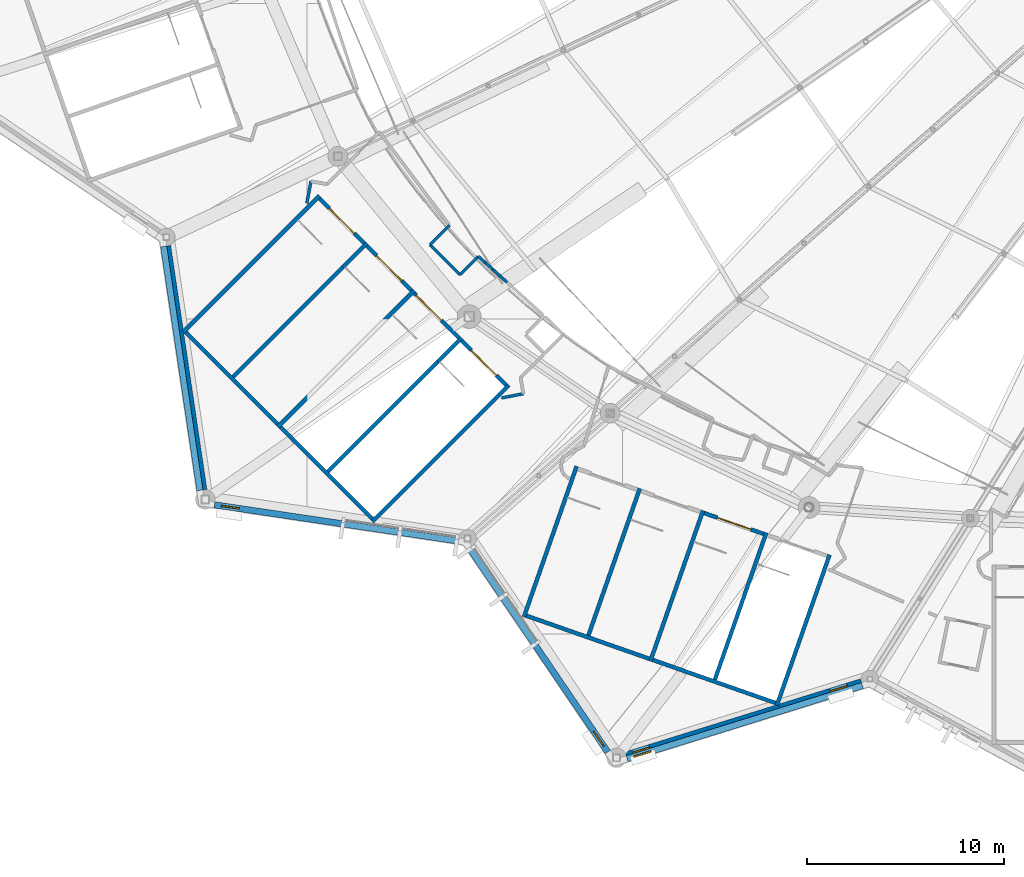
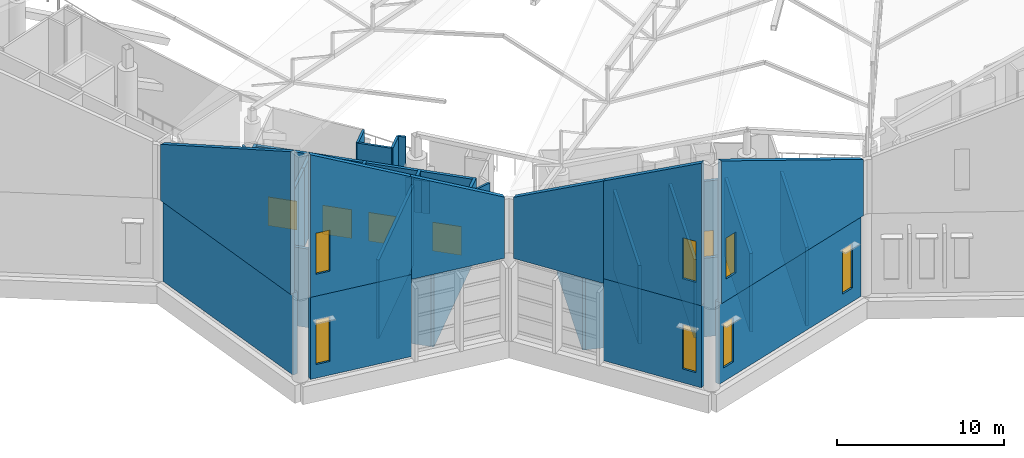
# One storey, part 242 of 344: 40 walls, 7 windows, 5 doors, 12 openings.
"""IFC4 building model written with IfcOpenShell, lengths in metres."""

from ifc_helpers import new_model, si_unit, direction, frame, frame_2d, origin, place, context, subcontext, project, spatial, polyline, rectangle, outline, extrude, material, layer, layer_set, type_object, element, fill, save


model = new_model("IFC4")

# Units and contexts
model_context = context("Model", 3, precision=1e-05, world=origin(), true_north=direction((0.0, 1.0)))
body_context = subcontext(model_context, "Body", "Model", "MODEL_VIEW")
ifc_project = project(units=[si_unit("LENGTHUNIT", "METRE"), si_unit("AREAUNIT", "SQUARE_METRE"), si_unit("VOLUMEUNIT", "CUBIC_METRE"), si_unit("PLANEANGLEUNIT", "RADIAN"), si_unit("MASSUNIT", "GRAM", prefix="KILO")], contexts=[model_context])

# Site, building, storey
site_placement = place(None, origin())
site = spatial("IfcSite", under=ifc_project, at=site_placement, CompositionType="ELEMENT")
building_placement = place(site_placement, origin())
building = spatial("IfcBuilding", under=site, at=building_placement, Name="Meseta Stadium", CompositionType="ELEMENT")
storey_placement = place(building_placement, frame((0.0, 0.0, 24.0)))
storey = spatial("IfcBuildingStorey", under=building, at=storey_placement, Name="L04", CompositionType="ELEMENT", Elevation=24.0)

# Walls
ifc_material_1 = material(Name="Concrete C40/50", Category="concrete")
ifc_layer_1 = layer(ifc_material_1, 0.199951171875)
ifc_layer_set_1 = layer_set([ifc_layer_1], Name="Core divider wall 200")
wall_type_1 = type_object("IfcWallType", Name="Core divider wall 200", PredefinedType="SHEAR", material=ifc_layer_set_1)
wall_1_placement = place(storey_placement, frame((-83.90087890625, -83.092529296875, 0.0), z_axis=(0.0, 0.0, 1.0), x_axis=(0.707106781187, 0.707106781187, 0.0)))
element("IfcWall", 1, at=wall_1_placement, inside=storey, type_object=wall_type_1, Name="Core 21 L04 stair A divider wall", PredefinedType="SHEAR", context=body_context, shape_type="SweptSolid", body=[
    extrude(rectangle(XDim=8.099853515625, YDim=0.199951171875, at=frame_2d((4.0498046875, 0.0))), origin(), (0.0, 0.0, 1.0), 5.75),
])
wall_2_placement = place(storey_placement, frame((-78.17333984375, -77.364990234375, 0.0), z_axis=(0.0, 0.0, 1.0), x_axis=(0.707178586901, 0.707034968179, 0.0)))
element("IfcWall", 2, at=wall_2_placement, inside=storey, type_object=wall_type_1, Name="Core 21 L04 stair A divider wall", PredefinedType="SHEAR", context=body_context, shape_type="SweptSolid", body=[
    extrude(rectangle(XDim=1.699951171875, YDim=0.199951171875, at=frame_2d((0.85009765625, 0.0))), origin(), (0.0, 0.0, 1.0), 5.75),
])
wall_3_placement = place(storey_placement, frame((-79.092529296875, -87.90087890625, 0.0), z_axis=(0.0, 0.0, 1.0), x_axis=(0.707106781187, 0.707106781187, 0.0)))
element("IfcWall", 3, at=wall_3_placement, inside=storey, type_object=wall_type_1, Name="Core 21 L04 stair B divider wall", PredefinedType="SHEAR", context=body_context, shape_type="SweptSolid", body=[
    extrude(rectangle(XDim=8.099853515625, YDim=0.199951171875, at=frame_2d((4.0498046875, 0.0))), origin(), (0.0, 0.0, 1.0), 5.75),
])
wall_4_placement = place(storey_placement, frame((-73.364990234375, -82.17333984375, 0.0), z_axis=(0.0, 0.0, 1.0), x_axis=(0.707034968179, 0.707178586901, 0.0)))
element("IfcWall", 4, at=wall_4_placement, inside=storey, type_object=wall_type_1, Name="Core 21 L04 stair B divider wall", PredefinedType="SHEAR", context=body_context, shape_type="SweptSolid", body=[
    extrude(rectangle(XDim=1.699951171875, YDim=0.199951171875, at=frame_2d((0.85009765625, 0.0))), origin(), (0.0, 0.0, 1.0), 5.75),
])
for number, where, z_axis, x_axis, name in (
    (5, (-65.789306640625, -96.260009765625, 0.0), (0.0, 0.0, 1.0), (0.330280610426, 0.943882788474, 0.0), "Core 22 L04 stair A divider wall"),
    (6, (-59.370849609375, -98.505859375, 0.0), (0.0, 0.0, 1.0), (0.330280610426, 0.943882788474, 0.0), "Core 22 L04 stair B divider wall"),
):
    element("IfcWall", number, at=place(storey_placement, frame(where, z_axis=z_axis, x_axis=x_axis)), inside=storey, type_object=wall_type_1, Name=name, PredefinedType="SHEAR", context=body_context, shape_type="SweptSolid", body=[
        extrude(rectangle(XDim=8.10009765625, YDim=0.199951171875, at=frame_2d((4.050048828125, 0.0))), origin(), (0.0, 0.0, 1.0), 5.75),
    ])
ifc_material_2 = material(Name="Concrete C40/50", Category="concrete")
ifc_layer_2 = layer(ifc_material_2, 0.199951171875)
ifc_layer_set_2 = layer_set([ifc_layer_2], Name="Core shaft wall 200")
wall_type_2 = type_object("IfcWallType", Name="Core shaft wall 200", PredefinedType="SHEAR", material=ifc_layer_set_2)
for number, where, z_axis, x_axis, name in (
    (7, (-86.30517578125, -80.6884765625, 0.0), (0.0, 0.0, 1.0), (0.707106781187, 0.707106781187, 0.0), "Core 21 L04 stair wall A-side"),
    (8, (-81.496826171875, -85.496826171875, 0.0), (0.0, 0.0, 1.0), (0.707106781187, 0.707106781187, 0.0), "Core 21 L04 stair wall shared"),
    (9, (-76.6884765625, -90.30517578125, 0.0), (0.0, 0.0, 1.0), (0.707106781187, 0.707106781187, 0.0), "Core 21 L04 stair wall B-side"),
):
    element("IfcWall", number, at=place(storey_placement, frame(where, z_axis=z_axis, x_axis=x_axis)), inside=storey, type_object=wall_type_2, Name=name, PredefinedType="SHEAR", context=body_context, shape_type="SweptSolid", body=[
        extrude(rectangle(XDim=9.800048828125, YDim=0.199951171875, at=frame_2d((4.89990234375, 0.0))), origin(), (0.0, 0.0, 1.0), 5.75),
    ])
for number, where, z_axis, x_axis, name in (
    (10, (-86.163818359375, -80.6884765625, 0.0), (0.0, 0.0, 1.0), (0.707125276584, -0.707088285305, 0.0), "Core 21 L04 stair A outer end wall"),
    (11, (-81.355224609375, -85.496826171875, 0.0), (0.0, 0.0, 1.0), (0.707088285305, -0.707125276584, 0.0), "Core 21 L04 stair B outer end wall"),
):
    element("IfcWall", number, at=place(storey_placement, frame(where, z_axis=z_axis, x_axis=x_axis)), inside=storey, type_object=wall_type_2, Name=name, PredefinedType="SHEAR", context=body_context, shape_type="SweptSolid", body=[
        extrude(rectangle(XDim=6.599853515625, YDim=0.199951171875, at=frame_2d((3.2998046875, 0.0))), origin(), (0.0, 0.0, 1.0), 5.75),
    ])

# Wall, opening, door
wall_5_placement = place(storey_placement, frame((-79.37548828125, -73.900146484375, 0.0), z_axis=(0.0, 0.0, 1.0), x_axis=(0.707068634461, -0.707144925854, 0.0)))
wall_5 = element("IfcWall", 12, at=wall_5_placement, inside=storey, type_object=wall_type_2, Name="Core 21 L04 stair A1 inner end wall", PredefinedType="SHEAR", context=body_context, shape_type="SweptSolid", body=[
    extrude(rectangle(XDim=3.2001953125, YDim=0.199951171875, at=frame_2d((1.60009765625, 0.0))), origin(), (0.0, 0.0, 1.0), 5.75),
])
opening_1_placement = place(wall_5_placement, frame((0.699951171875, 0.0, 0.0)))
opening_1 = element("IfcOpeningElement", 13, at=opening_1_placement, cuts=wall_5, Name="Opening D1544", PredefinedType="OPENING", context=body_context, shape_type="SweptSolid", body=[
    extrude(rectangle(XDim=1.800048828125, YDim=2.10009765625, at=frame_2d((0.89990234375, 1.050048828125))), frame((0.0, 0.10986328125, 0.0), z_axis=(0.0, -1.0, 0.0), x_axis=(1.0, 0.0, 0.0)), (0.0, 0.0, 1.0), 0.219970703125),
])
ifc_material_3 = material(Name="Steel", Category="steel")
door_type = type_object("IfcDoorType", Name="Stair door 1800x2100", OperationType="DOUBLE_DOOR_SINGLE_SWING", PredefinedType="DOOR", material=ifc_material_3)
door_1_placement = place(opening_1_placement, origin())
door_1 = element("IfcDoor", 14, at=door_1_placement, inside=storey, type_object=door_type, Name="Stair A1 door 21 L04", OperationType="DOUBLE_DOOR_SINGLE_SWING", OverallHeight=2.10009765625, OverallWidth=1.800048828125, PredefinedType="DOOR", context=body_context, shape_type="SweptSolid", body=[
    extrude(rectangle(XDim=1.800048828125, YDim=2.10009765625, at=frame_2d((0.89990234375, 1.050048828125))), frame((0.0, 0.02490234375, 0.0), z_axis=(0.0, -1.0, 0.0), x_axis=(1.0, 0.0, 0.0)), (0.0, 0.0, 1.0), 0.050048828125),
])
fill(opening_1, door_1)

wall_6_placement = place(storey_placement, frame((-76.97119140625, -76.304443359375, 0.0), z_axis=(0.0, 0.0, 1.0), x_axis=(0.707106781187, -0.707106781187, 0.0)))
wall_6 = element("IfcWall", 15, at=wall_6_placement, inside=storey, type_object=wall_type_2, Name="Core 21 L04 stair A2 inner end wall", PredefinedType="SHEAR", context=body_context, shape_type="SweptSolid", body=[
    extrude(rectangle(XDim=3.199951171875, YDim=0.199951171875, at=frame_2d((1.60009765625, 0.0))), origin(), (0.0, 0.0, 1.0), 5.75),
])
opening_2_placement = place(wall_6_placement, frame((0.699951171875, 0.0, 0.0)))
opening_2 = element("IfcOpeningElement", 16, at=opening_2_placement, cuts=wall_6, Name="Opening D1547", PredefinedType="OPENING", context=body_context, shape_type="SweptSolid", body=[
    extrude(rectangle(XDim=1.800048828125, YDim=2.10009765625, at=frame_2d((0.89990234375, 1.050048828125))), frame((0.0, 0.10986328125, 0.0), z_axis=(0.0, -1.0, 0.0), x_axis=(1.0, 0.0, 0.0)), (0.0, 0.0, 1.0), 0.219970703125),
])
door_2_placement = place(opening_2_placement, origin())
door_2 = element("IfcDoor", 17, at=door_2_placement, inside=storey, type_object=door_type, Name="Stair A2 door 21 L04", OperationType="DOUBLE_DOOR_SINGLE_SWING", OverallHeight=2.10009765625, OverallWidth=1.800048828125, PredefinedType="DOOR", context=body_context, shape_type="SweptSolid", body=[
    extrude(rectangle(XDim=1.800048828125, YDim=2.10009765625, at=frame_2d((0.89990234375, 1.050048828125))), frame((0.0, 0.02490234375, 0.0), z_axis=(0.0, -1.0, 0.0), x_axis=(1.0, 0.0, 0.0)), (0.0, 0.0, 1.0), 0.050048828125),
])
fill(opening_2, door_2)

wall_7_placement = place(storey_placement, frame((-74.567138671875, -78.70849609375, 0.0), z_axis=(0.0, 0.0, 1.0), x_axis=(0.707106781187, -0.707106781187, 0.0)))
wall_7 = element("IfcWall", 18, at=wall_7_placement, inside=storey, type_object=wall_type_2, Name="Core 21 L04 stair B1 inner end wall", PredefinedType="SHEAR", context=body_context, shape_type="SweptSolid", body=[
    extrude(rectangle(XDim=3.199951171875, YDim=0.199951171875, at=frame_2d((1.60009765625, 0.0))), origin(), (0.0, 0.0, 1.0), 5.75),
])
opening_3_placement = place(wall_7_placement, frame((0.14990234375, 0.0, 0.0)))
opening_3 = element("IfcOpeningElement", 19, at=opening_3_placement, cuts=wall_7, Name="Opening D1549", PredefinedType="OPENING", context=body_context, shape_type="SweptSolid", body=[
    extrude(rectangle(XDim=1.800048828125, YDim=2.10009765625, at=frame_2d((0.89990234375, 1.050048828125))), frame((0.0, 0.10986328125, 0.0), z_axis=(0.0, -1.0, 0.0), x_axis=(1.0, 0.0, 0.0)), (0.0, 0.0, 1.0), 0.219970703125),
])
door_3_placement = place(opening_3_placement, origin())
door_3 = element("IfcDoor", 20, at=door_3_placement, inside=storey, type_object=door_type, Name="Stair B1 door 21 L04", OperationType="DOUBLE_DOOR_SINGLE_SWING", OverallHeight=2.10009765625, OverallWidth=1.800048828125, PredefinedType="DOOR", context=body_context, shape_type="SweptSolid", body=[
    extrude(rectangle(XDim=1.800048828125, YDim=2.10009765625, at=frame_2d((0.89990234375, 1.050048828125))), frame((0.0, 0.02490234375, 0.0), z_axis=(0.0, -1.0, 0.0), x_axis=(1.0, 0.0, 0.0)), (0.0, 0.0, 1.0), 0.050048828125),
])
fill(opening_3, door_3)

wall_8_placement = place(storey_placement, frame((-72.1630859375, -81.11279296875, 0.0), z_axis=(0.0, 0.0, 1.0), x_axis=(0.707144925854, -0.707068634461, 0.0)))
wall_8 = element("IfcWall", 21, at=wall_8_placement, inside=storey, type_object=wall_type_2, Name="Core 21 L04 stair B2 inner end wall", PredefinedType="SHEAR", context=body_context, shape_type="SweptSolid", body=[
    extrude(rectangle(XDim=3.2001953125, YDim=0.199951171875, at=frame_2d((1.60009765625, 0.0))), origin(), (0.0, 0.0, 1.0), 5.75),
])
opening_4_placement = place(wall_8_placement, frame((0.699951171875, 0.0, 0.0)))
opening_4 = element("IfcOpeningElement", 22, at=opening_4_placement, cuts=wall_8, Name="Opening D1551", PredefinedType="OPENING", context=body_context, shape_type="SweptSolid", body=[
    extrude(rectangle(XDim=1.800048828125, YDim=2.10009765625, at=frame_2d((0.89990234375, 1.050048828125))), frame((0.0, 0.10986328125, 0.0), z_axis=(0.0, -1.0, 0.0), x_axis=(1.0, 0.0, 0.0)), (0.0, 0.0, 1.0), 0.219970703125),
])
door_4_placement = place(opening_4_placement, origin())
door_4 = element("IfcDoor", 23, at=door_4_placement, inside=storey, type_object=door_type, Name="Stair B2 door 21 L04", OperationType="DOUBLE_DOOR_SINGLE_SWING", OverallHeight=2.10009765625, OverallWidth=1.800048828125, PredefinedType="DOOR", context=body_context, shape_type="SweptSolid", body=[
    extrude(rectangle(XDim=1.800048828125, YDim=2.10009765625, at=frame_2d((0.89990234375, 1.050048828125))), frame((0.0, 0.02490234375, 0.0), z_axis=(0.0, -1.0, 0.0), x_axis=(1.0, 0.0, 0.0)), (0.0, 0.0, 1.0), 0.050048828125),
])
fill(opening_4, door_4)

# Walls
for number, where, z_axis, x_axis, name in (
    (24, (-68.998291015625, -95.136962890625, 0.0), (0.0, 0.0, 1.0), (0.330263153216, 0.943888896866, 0.0), "Core 22 L04 stair wall A-side"),
    (25, (-62.580078125, -97.3828125, 0.0), (0.0, 0.0, 1.0), (0.330290006891, 0.943879500438, 0.0), "Core 22 L04 stair wall shared"),
):
    element("IfcWall", number, at=place(storey_placement, frame(where, z_axis=z_axis, x_axis=x_axis)), inside=storey, type_object=wall_type_2, Name=name, PredefinedType="SHEAR", context=body_context, shape_type="SweptSolid", body=[
        extrude(rectangle(XDim=8.099853515625, YDim=0.199951171875, at=frame_2d((4.0498046875, 0.0))), origin(), (0.0, 0.0, 1.0), 5.75),
    ])
wall_9_placement = place(storey_placement, frame((-56.16162109375, -99.62890625, 0.0), z_axis=(0.0, 0.0, 1.0), x_axis=(0.330280610426, 0.943882788474, 0.0)))
element("IfcWall", 26, at=wall_9_placement, inside=storey, type_object=wall_type_2, Name="Core 22 L04 stair wall B-side", PredefinedType="SHEAR", context=body_context, shape_type="SweptSolid", body=[
    extrude(rectangle(XDim=8.10009765625, YDim=0.199951171875, at=frame_2d((4.050048828125, 0.0))), origin(), (0.0, 0.0, 1.0), 5.75),
])
for number, where, z_axis, x_axis, name in (
    (27, (-68.87109375, -95.07568359375, 0.0), (0.0, 0.0, 1.0), (0.943880844925, -0.330286164688, 0.0), "Core 22 L04 stair A outer end wall"),
    (28, (-62.45263671875, -97.321533203125, 0.0), (0.0, 0.0, 1.0), (0.943880844925, -0.330286164688, 0.0), "Core 22 L04 stair B outer end wall"),
):
    element("IfcWall", number, at=place(storey_placement, frame(where, z_axis=z_axis, x_axis=x_axis)), inside=storey, type_object=wall_type_2, Name=name, PredefinedType="SHEAR", context=body_context, shape_type="SweptSolid", body=[
        extrude(rectangle(XDim=6.60009765625, YDim=0.199951171875, at=frame_2d((3.300048828125, 0.0))), origin(), (0.0, 0.0, 1.0), 5.75),
    ])

# Wall, opening, door
wall_10_placement = place(storey_placement, frame((-59.843505859375, -89.864990234375, 0.0), z_axis=(0.0, 0.0, 1.0), x_axis=(0.943886898693, -0.330268863922, 0.0)))
wall_10 = element("IfcWall", 29, at=wall_10_placement, inside=storey, type_object=wall_type_2, Name="Core 22 L04 stair B1 inner end wall", PredefinedType="SHEAR", context=body_context, shape_type="SweptSolid", body=[
    extrude(rectangle(XDim=3.2001953125, YDim=0.199951171875, at=frame_2d((1.60009765625, 0.0))), origin(), (0.0, 0.0, 1.0), 5.75),
])
opening_5_placement = place(wall_10_placement, frame((0.699951171875, 0.0, 0.0)))
opening_5 = element("IfcOpeningElement", 30, at=opening_5_placement, cuts=wall_10, Name="Opening D1561", PredefinedType="OPENING", context=body_context, shape_type="SweptSolid", body=[
    extrude(rectangle(XDim=1.800048828125, YDim=2.10009765625, at=frame_2d((0.89990234375, 1.050048828125))), frame((0.0, 0.10986328125, 0.0), z_axis=(0.0, -1.0, 0.0), x_axis=(1.0, 0.0, 0.0)), (0.0, 0.0, 1.0), 0.219970703125),
])
door_5_placement = place(opening_5_placement, origin())
door_5 = element("IfcDoor", 31, at=door_5_placement, inside=storey, type_object=door_type, Name="Stair B1 door 22 L04", OperationType="DOUBLE_DOOR_SINGLE_SWING", OverallHeight=2.10009765625, OverallWidth=1.800048828125, PredefinedType="DOOR", context=body_context, shape_type="SweptSolid", body=[
    extrude(rectangle(XDim=1.800048828125, YDim=2.10009765625, at=frame_2d((0.89990234375, 1.050048828125))), frame((0.0, 0.02490234375, 0.0), z_axis=(0.0, -1.0, 0.0), x_axis=(1.0, 0.0, 0.0)), (0.0, 0.0, 1.0), 0.050048828125),
])
fill(opening_5, door_5)

# Walls
ifc_material_4 = material(Name="Masonry blockwork", Category="masonry")
ifc_layer_3 = layer(ifc_material_4, 0.14990234375)
ifc_layer_set_3 = layer_set([ifc_layer_3], Name="Partition 150")
wall_type_3 = type_object("IfcWallType", Name="Partition 150", PredefinedType="PARTITIONING", material=ifc_layer_set_3)
wall_11_placement = place(storey_placement, frame((-70.133544921875, -84.018310546875, 0.0), z_axis=(0.0, 0.0, 1.0), x_axis=(0.982266484486, 0.187490142289, 0.0)))
element("IfcWall", 32, at=wall_11_placement, inside=storey, type_object=wall_type_3, Name="Stair vestibule wall L04 core 21", PredefinedType="PARTITIONING", context=body_context, shape_type="SweptSolid", body=[
    extrude(rectangle(XDim=1.127685546875, YDim=0.14990234375, at=frame_2d((0.56396484375, 0.0))), origin(), (0.0, 0.0, 1.0), 5.39990234375),
])
wall_12_placement = place(storey_placement, frame((-69.855712890625, -78.148681640625, 0.0), z_axis=(0.0, 0.0, 1.0), x_axis=(-0.742477572111, 0.669870924068, 0.0)))
element("IfcWall", 33, at=wall_12_placement, inside=storey, type_object=wall_type_3, Name="Stair vestibule wall L04 core 21", PredefinedType="PARTITIONING", context=body_context, shape_type="SweptSolid", body=[
    extrude(rectangle(XDim=0.490966796875, YDim=0.14990234375, at=frame_2d((0.24560546875, 0.0))), origin(), (0.0, 0.0, 1.0), 2.37890625),
])
wall_13_placement = place(storey_placement, frame((-70.22021484375, -77.81982421875, 0.0), z_axis=(0.0, 0.0, 1.0), x_axis=(-0.742724945946, 0.669596635796, 0.0)))
element("IfcWall", 34, at=wall_13_placement, inside=storey, type_object=wall_type_3, Name="Stair vestibule wall L04 core 21", PredefinedType="PARTITIONING", context=body_context, shape_type="SweptSolid", body=[
    extrude(rectangle(XDim=0.49072265625, YDim=0.14990234375, at=frame_2d((0.245361328125, 0.0))), origin(), (0.0, 0.0, 1.0), 2.37890625),
])
wall_14_placement = place(storey_placement, frame((-70.584716796875, -77.4912109375, 0.0), z_axis=(0.0, 0.0, 1.0), x_axis=(-0.742254293896, 0.670118320293, 0.0)))
element("IfcWall", 35, at=wall_14_placement, inside=storey, type_object=wall_type_3, Name="Stair vestibule wall L04 core 21", PredefinedType="PARTITIONING", context=body_context, shape_type="SweptSolid", body=[
    extrude(rectangle(XDim=0.49072265625, YDim=0.14990234375, at=frame_2d((0.245361328125, 0.0))), origin(), (0.0, 0.0, 1.0), 2.474365234375),
])
wall_15_placement = place(storey_placement, frame((-70.948974609375, -77.162353515625, 0.0), z_axis=(0.0, 0.0, 1.0), x_axis=(-0.742724945946, 0.669596635796, 0.0)))
element("IfcWall", 36, at=wall_15_placement, inside=storey, type_object=wall_type_3, Name="Stair vestibule wall L04 core 21", PredefinedType="PARTITIONING", context=body_context, shape_type="SweptSolid", body=[
    extrude(rectangle(XDim=0.49072265625, YDim=0.14990234375, at=frame_2d((0.245361328125, 0.0))), origin(), (0.0, 0.0, 1.0), 5.39990234375),
])
wall_16_placement = place(storey_placement, frame((-71.3134765625, -76.833740234375, 0.0), z_axis=(0.0, 0.0, 1.0), x_axis=(-0.707664949678, -0.706548171746, 0.0)))
element("IfcWall", 37, at=wall_16_placement, inside=storey, type_object=wall_type_3, Name="Stair vestibule wall L04 core 21", PredefinedType="PARTITIONING", context=body_context, shape_type="SweptSolid", body=[
    extrude(rectangle(XDim=1.311767578125, YDim=0.14990234375, at=frame_2d((0.65576171875, 0.0))), origin(), (0.0, 0.0, 1.0), 5.39990234375),
])
wall_17_placement = place(storey_placement, frame((-72.24169921875, -77.760498046875, 0.0), z_axis=(0.0, 0.0, 1.0), x_axis=(-0.707163624852, 0.707049932951, 0.0)))
element("IfcWall", 38, at=wall_17_placement, inside=storey, type_object=wall_type_3, Name="Stair vestibule wall L04 core 21", PredefinedType="PARTITIONING", context=body_context, shape_type="SweptSolid", body=[
    extrude(rectangle(XDim=2.1474609375, YDim=0.14990234375, at=frame_2d((1.07373046875, 0.0))), origin(), (0.0, 0.0, 1.0), 5.39990234375),
])
wall_18_placement = place(storey_placement, frame((-73.76025390625, -76.2421875, 0.0), z_axis=(0.0, 0.0, 1.0), x_axis=(0.706226529773, 0.707985938168, 0.0)))
element("IfcWall", 39, at=wall_18_placement, inside=storey, type_object=wall_type_3, Name="Stair vestibule wall L04 core 21", PredefinedType="PARTITIONING", context=body_context, shape_type="SweptSolid", body=[
    extrude(rectangle(XDim=1.3876953125, YDim=0.14990234375, at=frame_2d((0.69384765625, 0.0))), origin(), (0.0, 0.0, 1.0), 5.39990234375),
])
wall_19_placement = place(storey_placement, frame((-79.806884765625, -73.02587890625, 0.0), z_axis=(0.0, 0.0, 1.0), x_axis=(-0.187490142289, -0.982266484486, 0.0)))
element("IfcWall", 40, at=wall_19_placement, inside=storey, type_object=wall_type_3, Name="Stair vestibule wall L04 core 21", PredefinedType="PARTITIONING", context=body_context, shape_type="SweptSolid", body=[
    extrude(rectangle(XDim=1.127685546875, YDim=0.14990234375, at=frame_2d((0.56396484375, 0.0))), origin(), (0.0, 0.0, 1.0), 5.39990234375),
])
ifc_material_5 = material(Name="White precast concrete C40/50", Category="concrete")
ifc_layer_4 = layer(ifc_material_5, 0.320068359375)
ifc_layer_set_4 = layer_set([ifc_layer_4], Name="Pleated fascia panel 320 raked")
wall_type_4 = type_object("IfcWallType", Name="Pleated fascia panel 320 raked", PredefinedType="SOLIDWALL", material=ifc_layer_set_4)
wall_20_placement = place(storey_placement, frame((-85.44482421875, -88.708984375, 6.0), z_axis=(0.0, 0.0, 1.0), x_axis=(-0.146868244204, 0.989156063948, 0.0)))
element("IfcWall", 41, at=wall_20_placement, inside=storey, type_object=wall_type_4, Name="Pleated fascia panel L04 F39", PredefinedType="SOLIDWALL", context=body_context, shape_type="SweptSolid", body=[
    extrude(outline(polyline([(0.0, 0.0), (12.513916015625, 0.0), (12.51416015625, 4.116943359375), (0.0, 10.437744140625), (0.0, 0.0)])), frame((0.0, 0.16015625, 0.0), z_axis=(0.0, -1.0, 0.0), x_axis=(1.0, 0.0, 0.0)), (0.0, 0.0, 1.0), 0.320068359375),
])

# Wall, opening, window
wall_21_placement = place(storey_placement, frame((-78.265625, -90.401611328125, 6.0), z_axis=(0.0, 0.0, 1.0), x_axis=(-0.989154104726, 0.146881438937, 0.0)))
wall_21 = element("IfcWall", 42, at=wall_21_placement, inside=storey, type_object=wall_type_4, Name="Pleated fascia panel L04 F40", PredefinedType="SOLIDWALL", context=body_context, shape_type="SweptSolid", body=[
    extrude(outline(polyline([(0.0, 0.0), (6.513916015625, 0.0), (6.51416015625, 10.437744140625), (0.0, 7.1474609375), (0.0, 0.0)])), frame((0.0, 0.16015625, 0.0), z_axis=(0.0, -1.0, 0.0), x_axis=(1.0, 0.0, 0.0)), (0.0, 0.0, 1.0), 0.320068359375),
])
opening_6_placement = place(wall_21_placement, frame((5.25048828125, 0.0, 1.60009765625)))
opening_6 = element("IfcOpeningElement", 43, at=opening_6_placement, cuts=wall_21, Name="Opening W217", PredefinedType="OPENING", context=body_context, shape_type="SweptSolid", body=[
    extrude(rectangle(XDim=0.89990234375, YDim=3.0, at=frame_2d((0.449951171875, 1.5))), frame((0.0, 0.169921875, 0.0), z_axis=(0.0, -1.0, 0.0), x_axis=(1.0, 0.0, 0.0)), (0.0, 0.0, 1.0), 0.340087890625),
])
ifc_material_6 = material(Name="Aluminium", Category="aluminium")
window_type_1 = type_object("IfcWindowType", Name="Slot window 900x3000", PartitioningType="SINGLE_PANEL", PredefinedType="WINDOW", material=ifc_material_6)
window_1_placement = place(opening_6_placement, origin())
window_1 = element("IfcWindow", 44, at=window_1_placement, inside=storey, type_object=window_type_1, Name="Slot window L04 F40.6", OverallHeight=3.0, OverallWidth=0.89990234375, PartitioningType="SINGLE_PANEL", PredefinedType="WINDOW", context=body_context, shape_type="SweptSolid", body=[
    extrude(rectangle(XDim=0.89990234375, YDim=3.0, at=frame_2d((0.449951171875, 1.5))), frame((0.0, 0.030029296875, 0.0), z_axis=(0.0, -1.0, 0.0), x_axis=(1.0, 0.0, 0.0)), (0.0, 0.0, 1.0), 0.06005859375),
])
fill(opening_6, window_1)

# Wall
wall_22_placement = place(storey_placement, frame((-72.330810546875, -91.28271484375, 5.64990234375), z_axis=(0.0, 0.0, 1.0), x_axis=(-0.989158190862, 0.146853918747, 0.0)))
element("IfcWall", 45, at=wall_22_placement, inside=storey, type_object=wall_type_4, Name="Pleated facade panel above atrium F40", PredefinedType="SOLIDWALL", context=body_context, shape_type="SweptSolid", body=[
    extrude(outline(polyline([(0.0, 0.0), (5.999755859375, 0.0), (6.0, 7.49755859375), (0.0, 4.467041015625), (0.0, 0.0)])), frame((0.0, 0.16015625, 0.0), z_axis=(0.0, -1.0, 0.0), x_axis=(1.0, 0.0, 0.0)), (0.0, 0.0, 1.0), 0.320068359375),
])

# Wall, opening, window
wall_23_placement = place(storey_placement, frame((-64.74365234375, -101.98974609375, 6.0), z_axis=(0.0, 0.0, 1.0), x_axis=(-0.561489501614, 0.827483860614, 0.0)))
wall_23 = element("IfcWall", 46, at=wall_23_placement, inside=storey, type_object=wall_type_4, Name="Pleated fascia panel L04 F41", PredefinedType="SOLIDWALL", context=body_context, shape_type="SweptSolid", body=[
    extrude(outline(polyline([(0.0, 0.0), (6.512939453125, 0.0), (6.51318359375, 7.147705078125), (0.0, 10.4375), (0.0, 0.0)])), frame((0.0, 0.16015625, 0.0), z_axis=(0.0, -1.0, 0.0), x_axis=(1.0, 0.0, 0.0)), (0.0, 0.0, 1.0), 0.320068359375),
])
opening_7_placement = place(wall_23_placement, frame((0.363037109375, 0.0, 1.60009765625)))
opening_7 = element("IfcOpeningElement", 47, at=opening_7_placement, cuts=wall_23, Name="Opening W221", PredefinedType="OPENING", context=body_context, shape_type="SweptSolid", body=[
    extrude(rectangle(XDim=0.89990234375, YDim=3.0, at=frame_2d((0.449951171875, 1.5))), frame((0.0, 0.169921875, 0.0), z_axis=(0.0, -1.0, 0.0), x_axis=(1.0, 0.0, 0.0)), (0.0, 0.0, 1.0), 0.340087890625),
])
window_2_placement = place(opening_7_placement, origin())
window_2 = element("IfcWindow", 48, at=window_2_placement, inside=storey, type_object=window_type_1, Name="Slot window L04 F41.6", OverallHeight=3.0, OverallWidth=0.89990234375, PartitioningType="SINGLE_PANEL", PredefinedType="WINDOW", context=body_context, shape_type="SweptSolid", body=[
    extrude(rectangle(XDim=0.89990234375, YDim=3.0, at=frame_2d((0.449951171875, 1.5))), frame((0.0, 0.030029296875, 0.0), z_axis=(0.0, -1.0, 0.0), x_axis=(1.0, 0.0, 0.0)), (0.0, 0.0, 1.0), 0.06005859375),
])
fill(opening_7, window_2)

# Wall
wall_24_placement = place(storey_placement, frame((-68.400634765625, -96.600341796875, 5.64990234375), z_axis=(0.0, 0.0, 1.0), x_axis=(-0.561498433341, 0.827477799917, 0.0)))
element("IfcWall", 49, at=wall_24_placement, inside=storey, type_object=wall_type_4, Name="Pleated facade panel above atrium F41", PredefinedType="SOLIDWALL", context=body_context, shape_type="SweptSolid", body=[
    extrude(outline(polyline([(0.0, 0.0), (6.000244140625, 0.0), (6.0, 4.46728515625), (0.0, 7.497802734375), (0.0, 0.0)])), frame((0.0, 0.16015625, 0.0), z_axis=(0.0, -1.0, 0.0), x_axis=(1.0, 0.0, 0.0)), (0.0, 0.0, 1.0), 0.320068359375),
])

# Wall, opening, window
wall_25_placement = place(storey_placement, frame((-51.811767578125, -98.618896484375, 6.0), z_axis=(0.0, 0.0, 1.0), x_axis=(-0.954916036354, -0.29687600697, 0.0)))
wall_25 = element("IfcWall", 50, at=wall_25_placement, inside=storey, type_object=wall_type_4, Name="Pleated fascia panel L04 F42", PredefinedType="SOLIDWALL", context=body_context, shape_type="SweptSolid", body=[
    extrude(outline(polyline([(0.0, 0.0), (12.51318359375, 0.0), (12.51318359375, 10.4375), (0.0, 4.1171875), (0.0, 0.0)])), frame((0.0, 0.16015625, 0.0), z_axis=(0.0, -1.0, 0.0), x_axis=(1.0, 0.0, 0.0)), (0.0, 0.0, 1.0), 0.320068359375),
])
opening_8_placement = place(wall_25_placement, frame((11.250244140625, 0.0, 1.60009765625)))
opening_8 = element("IfcOpeningElement", 51, at=opening_8_placement, cuts=wall_25, Name="Opening W223", PredefinedType="OPENING", context=body_context, shape_type="SweptSolid", body=[
    extrude(rectangle(XDim=0.89990234375, YDim=3.0, at=frame_2d((0.449951171875, 1.5))), frame((0.0, 0.169921875, 0.0), z_axis=(0.0, -1.0, 0.0), x_axis=(1.0, 0.0, 0.0)), (0.0, 0.0, 1.0), 0.340087890625),
])
window_3_placement = place(opening_8_placement, origin())
window_3 = element("IfcWindow", 52, at=window_3_placement, inside=storey, type_object=window_type_1, Name="Slot window L04 F42.6", OverallHeight=3.0, OverallWidth=0.89990234375, PartitioningType="SINGLE_PANEL", PredefinedType="WINDOW", context=body_context, shape_type="SweptSolid", body=[
    extrude(rectangle(XDim=0.89990234375, YDim=3.0, at=frame_2d((0.449951171875, 1.5))), frame((0.0, 0.030029296875, 0.0), z_axis=(0.0, -1.0, 0.0), x_axis=(1.0, 0.0, 0.0)), (0.0, 0.0, 1.0), 0.06005859375),
])
fill(opening_8, window_3)

# Wall
ifc_material_7 = material(Name="White precast concrete C40/50", Category="concrete")
ifc_layer_5 = layer(ifc_material_7, 0.320068359375)
ifc_layer_set_5 = layer_set([ifc_layer_5], Name="Pleated panel wall 320")
wall_type_5 = type_object("IfcWallType", Name="Pleated panel wall 320", PredefinedType="SOLIDWALL", material=ifc_layer_set_5)
wall_26_placement = place(storey_placement, frame((-85.2470703125, -88.6796875, 0.0), z_axis=(0.0, 0.0, 1.0), x_axis=(-0.14684632149, 0.989159318747, 0.0)))
element("IfcWall", 53, at=wall_26_placement, inside=storey, type_object=wall_type_5, Name="Pleated facade panel L04 F39", PredefinedType="SOLIDWALL", context=body_context, shape_type="SweptSolid", body=[
    extrude(rectangle(XDim=12.51416015625, YDim=0.320068359375, at=frame_2d((6.257080078125, 0.0))), origin(), (0.0, 0.0, 1.0), 6.0),
])

# Wall, opening, window
wall_27_placement = place(storey_placement, frame((-78.265625, -90.401611328125, 0.0), z_axis=(0.0, 0.0, 1.0), x_axis=(-0.989154104726, 0.146881438937, 0.0)))
wall_27 = element("IfcWall", 54, at=wall_27_placement, inside=storey, type_object=wall_type_5, Name="Pleated facade panel L04 F40", PredefinedType="SOLIDWALL", context=body_context, shape_type="SweptSolid", body=[
    extrude(rectangle(XDim=6.513916015625, YDim=0.320068359375, at=frame_2d((3.2568359375, 0.0))), origin(), (0.0, 0.0, 1.0), 6.0),
])
opening_9_placement = place(wall_27_placement, frame((5.25048828125, 0.0, 1.0)))
opening_9 = element("IfcOpeningElement", 55, at=opening_9_placement, cuts=wall_27, Name="Opening W216", PredefinedType="OPENING", context=body_context, shape_type="SweptSolid", body=[
    extrude(rectangle(XDim=0.89990234375, YDim=3.25, at=frame_2d((0.449951171875, 1.625))), frame((0.0, 0.169921875, 0.0), z_axis=(0.0, -1.0, 0.0), x_axis=(1.0, 0.0, 0.0)), (0.0, 0.0, 1.0), 0.340087890625),
])
ifc_material_8 = material(Name="Aluminium", Category="aluminium")
window_type_2 = type_object("IfcWindowType", Name="Slot window 900x3250", PartitioningType="SINGLE_PANEL", PredefinedType="WINDOW", material=ifc_material_8)
window_4_placement = place(opening_9_placement, origin())
window_4 = element("IfcWindow", 56, at=window_4_placement, inside=storey, type_object=window_type_2, Name="Slot window L04 F40.6", OverallHeight=3.25, OverallWidth=0.89990234375, PartitioningType="SINGLE_PANEL", PredefinedType="WINDOW", context=body_context, shape_type="SweptSolid", body=[
    extrude(rectangle(XDim=0.89990234375, YDim=3.25, at=frame_2d((0.449951171875, 1.625))), frame((0.0, 0.030029296875, 0.0), z_axis=(0.0, -1.0, 0.0), x_axis=(1.0, 0.0, 0.0)), (0.0, 0.0, 1.0), 0.06005859375),
])
fill(opening_9, window_4)

wall_28_placement = place(storey_placement, frame((-64.74365234375, -101.98974609375, 0.0), z_axis=(0.0, 0.0, 1.0), x_axis=(-0.561489501614, 0.827483860614, 0.0)))
wall_28 = element("IfcWall", 57, at=wall_28_placement, inside=storey, type_object=wall_type_5, Name="Pleated facade panel L04 F41", PredefinedType="SOLIDWALL", context=body_context, shape_type="SweptSolid", body=[
    extrude(rectangle(XDim=6.512939453125, YDim=0.320068359375, at=frame_2d((3.25634765625, 0.0))), origin(), (0.0, 0.0, 1.0), 6.0),
])
opening_10_placement = place(wall_28_placement, frame((0.363037109375, 0.0, 1.0)))
opening_10 = element("IfcOpeningElement", 58, at=opening_10_placement, cuts=wall_28, Name="Opening W220", PredefinedType="OPENING", context=body_context, shape_type="SweptSolid", body=[
    extrude(rectangle(XDim=0.89990234375, YDim=3.25, at=frame_2d((0.449951171875, 1.625))), frame((0.0, 0.169921875, 0.0), z_axis=(0.0, -1.0, 0.0), x_axis=(1.0, 0.0, 0.0)), (0.0, 0.0, 1.0), 0.340087890625),
])
window_5_placement = place(opening_10_placement, origin())
window_5 = element("IfcWindow", 59, at=window_5_placement, inside=storey, type_object=window_type_2, Name="Slot window L04 F41.6", OverallHeight=3.25, OverallWidth=0.89990234375, PartitioningType="SINGLE_PANEL", PredefinedType="WINDOW", context=body_context, shape_type="SweptSolid", body=[
    extrude(rectangle(XDim=0.89990234375, YDim=3.25, at=frame_2d((0.449951171875, 1.625))), frame((0.0, 0.030029296875, 0.0), z_axis=(0.0, -1.0, 0.0), x_axis=(1.0, 0.0, 0.0)), (0.0, 0.0, 1.0), 0.06005859375),
])
fill(opening_10, window_5)

# Wall, openings, windows
wall_29_placement = place(storey_placement, frame((-51.87109375, -98.427978515625, 0.0), z_axis=(0.0, 0.0, 1.0), x_axis=(-0.954916036354, -0.29687600697, 0.0)))
wall_29 = element("IfcWall", 60, at=wall_29_placement, inside=storey, type_object=wall_type_5, Name="Pleated facade panel L04 F42", PredefinedType="SOLIDWALL", context=body_context, shape_type="SweptSolid", body=[
    extrude(rectangle(XDim=12.51318359375, YDim=0.320068359375, at=frame_2d((6.256591796875, 0.0))), origin(), (0.0, 0.0, 1.0), 6.0),
])
opening_11_placement = place(wall_29_placement, frame((0.750244140625, 0.0, 1.0)))
opening_11 = element("IfcOpeningElement", 61, at=opening_11_placement, cuts=wall_29, Name="Opening W225", PredefinedType="OPENING", context=body_context, shape_type="SweptSolid", body=[
    extrude(rectangle(XDim=0.89990234375, YDim=3.25, at=frame_2d((0.449951171875, 1.625))), frame((0.0, 0.169921875, 0.0), z_axis=(0.0, -1.0, 0.0), x_axis=(1.0, 0.0, 0.0)), (0.0, 0.0, 1.0), 0.340087890625),
])
opening_12_placement = place(wall_29_placement, frame((11.250244140625, 0.0, 1.0)))
opening_12 = element("IfcOpeningElement", 62, at=opening_12_placement, cuts=wall_29, Name="Opening W222", PredefinedType="OPENING", context=body_context, shape_type="SweptSolid", body=[
    extrude(rectangle(XDim=0.89990234375, YDim=3.25, at=frame_2d((0.449951171875, 1.625))), frame((0.0, 0.169921875, 0.0), z_axis=(0.0, -1.0, 0.0), x_axis=(1.0, 0.0, 0.0)), (0.0, 0.0, 1.0), 0.340087890625),
])
window_6_placement = place(opening_11_placement, origin())
window_6 = element("IfcWindow", 63, at=window_6_placement, inside=storey, type_object=window_type_2, Name="Slot window L04 F42.1", OverallHeight=3.25, OverallWidth=0.89990234375, PartitioningType="SINGLE_PANEL", PredefinedType="WINDOW", context=body_context, shape_type="SweptSolid", body=[
    extrude(rectangle(XDim=0.89990234375, YDim=3.25, at=frame_2d((0.449951171875, 1.625))), frame((0.0, 0.030029296875, 0.0), z_axis=(0.0, -1.0, 0.0), x_axis=(1.0, 0.0, 0.0)), (0.0, 0.0, 1.0), 0.06005859375),
])
fill(opening_11, window_6)
window_7_placement = place(opening_12_placement, origin())
window_7 = element("IfcWindow", 64, at=window_7_placement, inside=storey, type_object=window_type_2, Name="Slot window L04 F42.6", OverallHeight=3.25, OverallWidth=0.89990234375, PartitioningType="SINGLE_PANEL", PredefinedType="WINDOW", context=body_context, shape_type="SweptSolid", body=[
    extrude(rectangle(XDim=0.89990234375, YDim=3.25, at=frame_2d((0.449951171875, 1.625))), frame((0.0, 0.030029296875, 0.0), z_axis=(0.0, -1.0, 0.0), x_axis=(1.0, 0.0, 0.0)), (0.0, 0.0, 1.0), 0.06005859375),
])
fill(opening_12, window_7)

save(model, "model.ifc")
